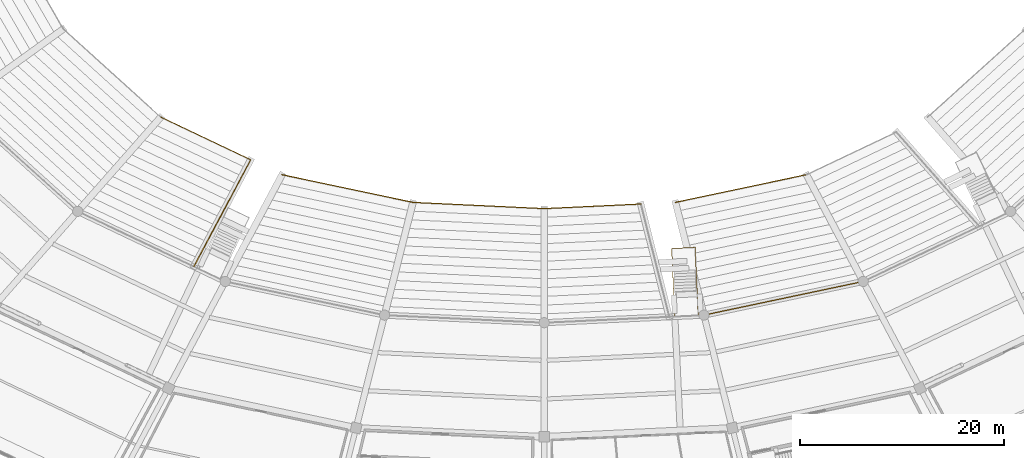
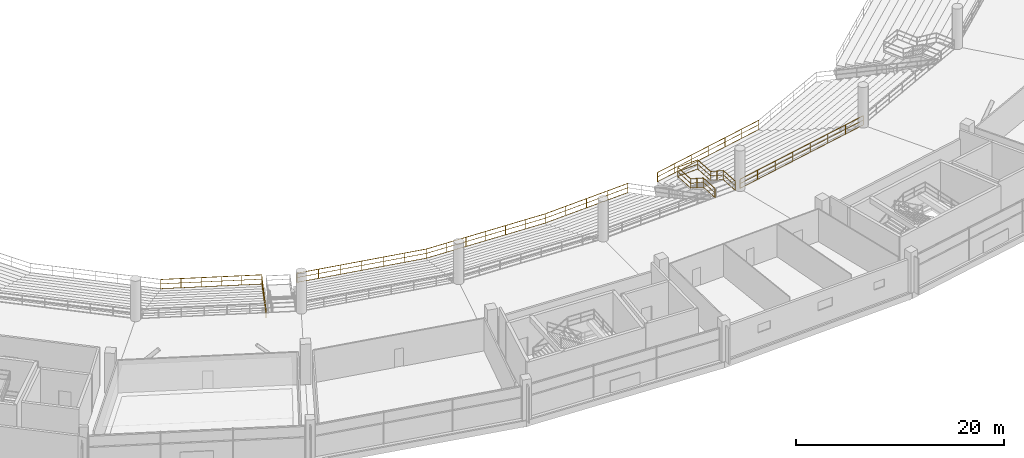
# One storey, part 145 of 156: 8 railings.
"""IFC4 building model written with IfcOpenShell, lengths in metres."""

from ifc_helpers import new_model, si_unit, direction, frame, origin, origin_2d, place, context, subcontext, project, spatial, rectangle, extrude, material, type_object, element, save


model = new_model("IFC4")

# Units and contexts
model_context = context("Model", 3, precision=1e-05, world=origin(), true_north=direction((0.0, 1.0)))
body_context = subcontext(model_context, "Body", "Model", "MODEL_VIEW")
ifc_project = project(units=[si_unit("LENGTHUNIT", "METRE"), si_unit("AREAUNIT", "SQUARE_METRE"), si_unit("VOLUMEUNIT", "CUBIC_METRE"), si_unit("PLANEANGLEUNIT", "RADIAN"), si_unit("MASSUNIT", "GRAM", prefix="KILO")], contexts=[model_context])

# Site, building, storey
site_placement = place(None, origin())
site = spatial("IfcSite", under=ifc_project, at=site_placement, CompositionType="ELEMENT")
building_placement = place(site_placement, origin())
building = spatial("IfcBuilding", under=site, at=building_placement, Name="Kazemori Nagisa Stadium", CompositionType="ELEMENT")
storey_placement = place(building_placement, frame((0.0, 0.0, 5.780029296875)))
storey = spatial("IfcBuildingStorey", under=building, at=storey_placement, Name="L01", CompositionType="ELEMENT", Elevation=5.780029296875)

# Railings
ifc_material_1 = material(Name="Laminated safety glass and stainless steel SUS304", Category="steel")
railing_type_1 = type_object("IfcRailingType", Name="Rail_BAL", PredefinedType="BALUSTRADE", material=ifc_material_1)
railing_1_placement = place(storey_placement, frame((138.64208984375, 39.959716796875, 0.0)))
element("IfcRailing", 1, at=railing_1_placement, inside=storey, type_object=railing_type_1, Name="Concourse bowl balustrade L01-B23", PredefinedType="BALUSTRADE", context=body_context, shape_type="SweptSolid", body=[
    extrude(rectangle(XDim=0.050048828125, YDim=0.050048828125, at=origin_2d()), frame((0.0, 0.0, 1.09521484375), z_axis=(0.978348272746, 0.206965352692, 0.0), x_axis=(-0.206965352692, 0.978348272746, 0.0)), (0.0, 0.0, 1.0), 15.950927734375),
    extrude(rectangle(XDim=0.03759765625, YDim=0.03759765625, at=origin_2d()), frame((0.0, 0.0, 0.58251953125), z_axis=(0.978348272746, 0.206965352692, 0.0), x_axis=(-0.206965352692, 0.978348272746, 0.0)), (0.0, 0.0, 1.0), 15.950927734375),
    extrude(rectangle(XDim=0.03759765625, YDim=0.03759765625, at=origin_2d()), frame((0.0, 0.0, 0.02490234375), z_axis=(0.978348272746, 0.206965352692, 0.0), x_axis=(-0.206965352692, 0.978348272746, 0.0)), (0.0, 0.0, 1.0), 15.950927734375),
    extrude(rectangle(XDim=0.044921875, YDim=0.044921875, at=origin_2d()), origin(), (0.0, 0.0, 1.0), 1.070068359375),
    extrude(rectangle(XDim=0.044921875, YDim=0.044921875, at=origin_2d()), frame((2.229248046875, 0.4716796875, 0.0)), (0.0, 0.0, 1.0), 1.070068359375),
    extrude(rectangle(XDim=0.044921875, YDim=0.044921875, at=origin_2d()), frame((4.458740234375, 0.943115234375, 0.0)), (0.0, 0.0, 1.0), 1.070068359375),
    extrude(rectangle(XDim=0.044921875, YDim=0.044921875, at=origin_2d()), frame((6.68798828125, 1.414794921875, 0.0)), (0.0, 0.0, 1.0), 1.070068359375),
    extrude(rectangle(XDim=0.044921875, YDim=0.044921875, at=origin_2d()), frame((8.91748046875, 1.886474609375, 0.0)), (0.0, 0.0, 1.0), 1.070068359375),
    extrude(rectangle(XDim=0.044921875, YDim=0.044921875, at=origin_2d()), frame((11.146728515625, 2.358154296875, 0.0)), (0.0, 0.0, 1.0), 1.070068359375),
    extrude(rectangle(XDim=0.044921875, YDim=0.044921875, at=origin_2d()), frame((13.376220703125, 2.82958984375, 0.0)), (0.0, 0.0, 1.0), 1.070068359375),
    extrude(rectangle(XDim=0.044921875, YDim=0.044921875, at=origin_2d()), frame((15.60546875, 3.30126953125, 0.0)), (0.0, 0.0, 1.0), 1.070068359375),
])
ifc_material_2 = material(Name="Galvanised powder-coated steel", Category="steel")
railing_type_2 = type_object("IfcRailingType", Name="Rail_GUARD", PredefinedType="GUARDRAIL", material=ifc_material_2)
railing_2_placement = place(storey_placement, frame((138.0927734375, 39.93359375, 0.0)))
element("IfcRailing", 2, at=railing_2_placement, inside=storey, type_object=railing_type_2, Name="Vomitory stair guard VL09", PredefinedType="GUARDRAIL", context=body_context, shape_type="SweptSolid", body=[
    extrude(rectangle(XDim=0.050048828125, YDim=0.050048828125, at=origin_2d()), frame((0.0, 0.0, 1.09521484375), z_axis=(-0.047200591825, 0.998885430934, 0.0), x_axis=(-0.998885430934, -0.047200591825, 0.0)), (0.0, 0.0, 1.0), 2.10009765625),
    extrude(rectangle(XDim=0.03759765625, YDim=0.03759765625, at=origin_2d()), frame((0.0, 0.0, 0.58251953125), z_axis=(-0.047200591825, 0.998885430934, 0.0), x_axis=(-0.998885430934, -0.047200591825, 0.0)), (0.0, 0.0, 1.0), 2.10009765625),
    extrude(rectangle(XDim=0.03759765625, YDim=0.03759765625, at=origin_2d()), frame((0.0, 0.0, 0.02490234375), z_axis=(-0.047200591825, 0.998885430934, 0.0), x_axis=(-0.998885430934, -0.047200591825, 0.0)), (0.0, 0.0, 1.0), 2.10009765625),
    extrude(rectangle(XDim=0.050048828125, YDim=0.050048828125, at=origin_2d()), frame((-0.09912109375, 2.09765625, 1.09521484375), z_axis=(-0.039755287865, 0.841349839275, -0.539026868569), x_axis=(-0.9988855, -0.047199130187, 0.0)), (0.0, 0.0, 1.0), 2.67138671875),
    extrude(rectangle(XDim=0.03759765625, YDim=0.03759765625, at=origin_2d()), frame((-0.09912109375, 2.09765625, 0.58251953125), z_axis=(-0.039755287865, 0.841349839275, -0.539026868569), x_axis=(-0.9988855, -0.047199130187, 0.0)), (0.0, 0.0, 1.0), 2.67138671875),
    extrude(rectangle(XDim=0.03759765625, YDim=0.03759765625, at=origin_2d()), frame((-0.09912109375, 2.09765625, 0.02490234375), z_axis=(-0.039755287865, 0.841349839275, -0.539026868569), x_axis=(-0.9988855, -0.047199130187, 0.0)), (0.0, 0.0, 1.0), 2.67138671875),
    extrude(rectangle(XDim=0.050048828125, YDim=0.050048828125, at=origin_2d()), frame((-0.205322265625, 4.34521484375, -0.3447265625), z_axis=(-0.04725015869, 0.998883087505, 0.0), x_axis=(-0.998883087505, -0.04725015869, 0.0)), (0.0, 0.0, 1.0), 2.320068359375),
    extrude(rectangle(XDim=0.03759765625, YDim=0.03759765625, at=origin_2d()), frame((-0.205322265625, 4.34521484375, -0.857421875), z_axis=(-0.04725015869, 0.998883087505, 0.0), x_axis=(-0.998883087505, -0.04725015869, 0.0)), (0.0, 0.0, 1.0), 2.320068359375),
    extrude(rectangle(XDim=0.03759765625, YDim=0.03759765625, at=origin_2d()), frame((-0.205322265625, 4.34521484375, -1.4150390625), z_axis=(-0.04725015869, 0.998883087505, 0.0), x_axis=(-0.998883087505, -0.04725015869, 0.0)), (0.0, 0.0, 1.0), 2.320068359375),
    extrude(rectangle(XDim=0.050048828125, YDim=0.050048828125, at=origin_2d()), frame((-0.31494140625, 6.66259765625, -0.3447265625), z_axis=(-0.998883694415, -0.047237326675, 0.0), x_axis=(0.047237326675, -0.998883694415, 0.0)), (0.0, 0.0, 1.0), 2.300048828125),
    extrude(rectangle(XDim=0.03759765625, YDim=0.03759765625, at=origin_2d()), frame((-0.31494140625, 6.66259765625, -0.857421875), z_axis=(-0.998883694415, -0.047237326675, 0.0), x_axis=(0.047237326675, -0.998883694415, 0.0)), (0.0, 0.0, 1.0), 2.300048828125),
    extrude(rectangle(XDim=0.03759765625, YDim=0.03759765625, at=origin_2d()), frame((-0.31494140625, 6.66259765625, -1.4150390625), z_axis=(-0.998883694415, -0.047237326675, 0.0), x_axis=(0.047237326675, -0.998883694415, 0.0)), (0.0, 0.0, 1.0), 2.300048828125),
    extrude(rectangle(XDim=0.050048828125, YDim=0.050048828125, at=origin_2d()), frame((-2.6123046875, 6.553955078125, -0.3447265625), z_axis=(0.047145158645, -0.99888804879, 0.0), x_axis=(0.99888804879, 0.047145158645, 0.0)), (0.0, 0.0, 1.0), 2.320068359375),
    extrude(rectangle(XDim=0.03759765625, YDim=0.03759765625, at=origin_2d()), frame((-2.6123046875, 6.553955078125, -0.857421875), z_axis=(0.047145158645, -0.99888804879, 0.0), x_axis=(0.99888804879, 0.047145158645, 0.0)), (0.0, 0.0, 1.0), 2.320068359375),
    extrude(rectangle(XDim=0.03759765625, YDim=0.03759765625, at=origin_2d()), frame((-2.6123046875, 6.553955078125, -1.4150390625), z_axis=(0.047145158645, -0.99888804879, 0.0), x_axis=(0.99888804879, 0.047145158645, 0.0)), (0.0, 0.0, 1.0), 2.320068359375),
    extrude(rectangle(XDim=0.050048828125, YDim=0.050048828125, at=origin_2d()), frame((-2.5029296875, 4.236572265625, -0.3447265625), z_axis=(0.039846534391, -0.841346778907, 0.539024907885), x_axis=(0.998880378584, 0.047307391382, 0.0)), (0.0, 0.0, 1.0), 2.67138671875),
    extrude(rectangle(XDim=0.03759765625, YDim=0.03759765625, at=origin_2d()), frame((-2.5029296875, 4.236572265625, -0.857421875), z_axis=(0.039846534391, -0.841346778907, 0.539024907885), x_axis=(0.998880378584, 0.047307391382, 0.0)), (0.0, 0.0, 1.0), 2.67138671875),
    extrude(rectangle(XDim=0.03759765625, YDim=0.03759765625, at=origin_2d()), frame((-2.5029296875, 4.236572265625, -1.4150390625), z_axis=(0.039846534391, -0.841346778907, 0.539024907885), x_axis=(0.998880378584, 0.047307391382, 0.0)), (0.0, 0.0, 1.0), 2.67138671875),
    extrude(rectangle(XDim=0.050048828125, YDim=0.050048828125, at=origin_2d()), frame((-2.396484375, 1.989013671875, 1.09521484375), z_axis=(0.047200591825, -0.998885430934, 0.0), x_axis=(0.998885430934, 0.047200591825, 0.0)), (0.0, 0.0, 1.0), 2.10009765625),
    extrude(rectangle(XDim=0.03759765625, YDim=0.03759765625, at=origin_2d()), frame((-2.396484375, 1.989013671875, 0.58251953125), z_axis=(0.047200591825, -0.998885430934, 0.0), x_axis=(0.998885430934, 0.047200591825, 0.0)), (0.0, 0.0, 1.0), 2.10009765625),
    extrude(rectangle(XDim=0.03759765625, YDim=0.03759765625, at=origin_2d()), frame((-2.396484375, 1.989013671875, 0.02490234375), z_axis=(0.047200591825, -0.998885430934, 0.0), x_axis=(0.998885430934, 0.047200591825, 0.0)), (0.0, 0.0, 1.0), 2.10009765625),
    extrude(rectangle(XDim=0.044921875, YDim=0.044921875, at=origin_2d()), origin(), (0.0, 0.0, 1.0), 1.070068359375),
    extrude(rectangle(XDim=0.044921875, YDim=0.044921875, at=origin_2d()), frame((-0.09912109375, 2.09765625, 0.0)), (0.0, 0.0, 1.0), 1.070068359375),
    extrude(rectangle(XDim=0.044921875, YDim=0.044921875, at=origin_2d()), frame((-0.15234375, 3.221435546875, -0.719970703125)), (0.0, 0.0, 1.0), 1.070068359375),
    extrude(rectangle(XDim=0.044921875, YDim=0.044921875, at=origin_2d()), frame((-0.205322265625, 4.34521484375, -1.43994140625)), (0.0, 0.0, 1.0), 1.070068359375),
    extrude(rectangle(XDim=0.044921875, YDim=0.044921875, at=origin_2d()), frame((-0.31494140625, 6.66259765625, -1.43994140625)), (0.0, 0.0, 1.0), 1.070068359375),
    extrude(rectangle(XDim=0.044921875, YDim=0.044921875, at=origin_2d()), frame((-2.6123046875, 6.553955078125, -1.43994140625)), (0.0, 0.0, 1.0), 1.070068359375),
    extrude(rectangle(XDim=0.044921875, YDim=0.044921875, at=origin_2d()), frame((-2.5029296875, 4.236572265625, -1.43994140625)), (0.0, 0.0, 1.0), 1.070068359375),
    extrude(rectangle(XDim=0.044921875, YDim=0.044921875, at=origin_2d()), frame((-2.44970703125, 3.11279296875, -0.719970703125)), (0.0, 0.0, 1.0), 1.070068359375),
    extrude(rectangle(XDim=0.044921875, YDim=0.044921875, at=origin_2d()), frame((-2.396484375, 1.989013671875, 0.0)), (0.0, 0.0, 1.0), 1.070068359375),
    extrude(rectangle(XDim=0.044921875, YDim=0.044921875, at=origin_2d()), frame((-2.29736328125, -0.108642578125, 0.0)), (0.0, 0.0, 1.0), 1.070068359375),
])
railing_3_placement = place(storey_placement, frame((85.441162109375, 59.364501953125, -4.919921875)))
element("IfcRailing", 3, at=railing_3_placement, inside=storey, type_object=railing_type_2, Name="Lower tier pitch-side crowd barrier B19", PredefinedType="GUARDRAIL", context=body_context, shape_type="SweptSolid", body=[
    extrude(rectangle(XDim=0.050048828125, YDim=0.050048828125, at=origin_2d()), frame((0.0, 0.0, 1.09521484375), z_axis=(0.903222659016, -0.429172259401, 0.0), x_axis=(0.429172259401, 0.903222659016, 0.0)), (0.0, 0.0, 1.0), 9.74853515625),
    extrude(rectangle(XDim=0.03759765625, YDim=0.03759765625, at=origin_2d()), frame((0.0, 0.0, 0.58251953125), z_axis=(0.903222659016, -0.429172259401, 0.0), x_axis=(0.429172259401, 0.903222659016, 0.0)), (0.0, 0.0, 1.0), 9.74853515625),
    extrude(rectangle(XDim=0.03759765625, YDim=0.03759765625, at=origin_2d()), frame((0.0, 0.0, 0.02490234375), z_axis=(0.903222659016, -0.429172259401, 0.0), x_axis=(0.429172259401, 0.903222659016, 0.0)), (0.0, 0.0, 1.0), 9.74853515625),
    extrude(rectangle(XDim=0.044921875, YDim=0.044921875, at=origin_2d()), origin(), (0.0, 0.0, 1.0), 1.070068359375),
    extrude(rectangle(XDim=0.044921875, YDim=0.044921875, at=origin_2d()), frame((1.760986328125, -0.836669921875, 0.0)), (0.0, 0.0, 1.0), 1.070068359375),
    extrude(rectangle(XDim=0.044921875, YDim=0.044921875, at=origin_2d()), frame((3.52197265625, -1.673583984375, 0.0)), (0.0, 0.0, 1.0), 1.070068359375),
    extrude(rectangle(XDim=0.044921875, YDim=0.044921875, at=origin_2d()), frame((5.283203125, -2.51025390625, 0.0)), (0.0, 0.0, 1.0), 1.070068359375),
    extrude(rectangle(XDim=0.044921875, YDim=0.044921875, at=origin_2d()), frame((7.044189453125, -3.34716796875, 0.0)), (0.0, 0.0, 1.0), 1.070068359375),
    extrude(rectangle(XDim=0.044921875, YDim=0.044921875, at=origin_2d()), frame((8.80517578125, -4.183837890625, 0.0)), (0.0, 0.0, 1.0), 1.070068359375),
])
railing_4_placement = place(storey_placement, frame((94.246337890625, 55.1806640625, -4.919921875)))
element("IfcRailing", 4, at=railing_4_placement, inside=storey, type_object=railing_type_2, Name="Lower tier vomitory aisle guard B19", PredefinedType="GUARDRAIL", context=body_context, shape_type="SweptSolid", body=[
    extrude(rectangle(XDim=0.050048828125, YDim=0.050048828125, at=origin_2d()), frame((0.0, 0.0, 1.09521484375), z_axis=(-0.441242969297, -0.829443086144, 0.342532931108), x_axis=(0.882850394325, -0.469654321007, 0.0)), (0.0, 0.0, 1.0), 12.611328125),
    extrude(rectangle(XDim=0.03759765625, YDim=0.03759765625, at=origin_2d()), frame((0.0, 0.0, 0.58251953125), z_axis=(-0.441242969297, -0.829443086144, 0.342532931108), x_axis=(0.882850394325, -0.469654321007, 0.0)), (0.0, 0.0, 1.0), 12.611328125),
    extrude(rectangle(XDim=0.03759765625, YDim=0.03759765625, at=origin_2d()), frame((0.0, 0.0, 0.02490234375), z_axis=(-0.441242969297, -0.829443086144, 0.342532931108), x_axis=(0.882850394325, -0.469654321007, 0.0)), (0.0, 0.0, 1.0), 12.611328125),
    extrude(rectangle(XDim=0.044921875, YDim=0.044921875, at=origin_2d()), origin(), (0.0, 0.0, 1.0), 1.070068359375),
    extrude(rectangle(XDim=0.044921875, YDim=0.044921875, at=origin_2d()), frame((-0.927490234375, -1.743408203125, 0.719970703125)), (0.0, 0.0, 1.0), 1.070068359375),
    extrude(rectangle(XDim=0.044921875, YDim=0.044921875, at=origin_2d()), frame((-1.85498046875, -3.48681640625, 1.43994140625)), (0.0, 0.0, 1.0), 1.070068359375),
    extrude(rectangle(XDim=0.044921875, YDim=0.044921875, at=origin_2d()), frame((-2.7822265625, -5.230224609375, 2.159912109375)), (0.0, 0.0, 1.0), 1.070068359375),
    extrude(rectangle(XDim=0.044921875, YDim=0.044921875, at=origin_2d()), frame((-3.709716796875, -6.9736328125, 2.8798828125)), (0.0, 0.0, 1.0), 1.070068359375),
    extrude(rectangle(XDim=0.044921875, YDim=0.044921875, at=origin_2d()), frame((-4.63720703125, -8.717041015625, 3.599853515625)), (0.0, 0.0, 1.0), 1.070068359375),
    extrude(rectangle(XDim=0.044921875, YDim=0.044921875, at=origin_2d()), frame((-5.564697265625, -10.46044921875, 4.31982421875)), (0.0, 0.0, 1.0), 1.070068359375),
])
railing_5_placement = place(storey_placement, frame((97.317138671875, 53.721435546875, -4.919921875)))
element("IfcRailing", 5, at=railing_5_placement, inside=storey, type_object=railing_type_2, Name="Lower tier pitch-side crowd barrier B20", PredefinedType="GUARDRAIL", context=body_context, shape_type="SweptSolid", body=[
    extrude(rectangle(XDim=0.050048828125, YDim=0.050048828125, at=origin_2d()), frame((0.0, 0.0, 1.09521484375), z_axis=(0.978343611705, -0.206987384729, 0.0), x_axis=(0.206987384729, 0.978343611705, 0.0)), (0.0, 0.0, 1.0), 13.110107421875),
    extrude(rectangle(XDim=0.03759765625, YDim=0.03759765625, at=origin_2d()), frame((0.0, 0.0, 0.58251953125), z_axis=(0.978343611705, -0.206987384729, 0.0), x_axis=(0.206987384729, 0.978343611705, 0.0)), (0.0, 0.0, 1.0), 13.110107421875),
    extrude(rectangle(XDim=0.03759765625, YDim=0.03759765625, at=origin_2d()), frame((0.0, 0.0, 0.02490234375), z_axis=(0.978343611705, -0.206987384729, 0.0), x_axis=(0.206987384729, 0.978343611705, 0.0)), (0.0, 0.0, 1.0), 13.110107421875),
    extrude(rectangle(XDim=0.044921875, YDim=0.044921875, at=origin_2d()), origin(), (0.0, 0.0, 1.0), 1.070068359375),
    extrude(rectangle(XDim=0.044921875, YDim=0.044921875, at=origin_2d()), frame((2.1376953125, -0.4521484375, 0.0)), (0.0, 0.0, 1.0), 1.070068359375),
    extrude(rectangle(XDim=0.044921875, YDim=0.044921875, at=origin_2d()), frame((4.275390625, -0.904541015625, 0.0)), (0.0, 0.0, 1.0), 1.070068359375),
    extrude(rectangle(XDim=0.044921875, YDim=0.044921875, at=origin_2d()), frame((6.4130859375, -1.35693359375, 0.0)), (0.0, 0.0, 1.0), 1.070068359375),
    extrude(rectangle(XDim=0.044921875, YDim=0.044921875, at=origin_2d()), frame((8.55078125, -1.80908203125, 0.0)), (0.0, 0.0, 1.0), 1.070068359375),
    extrude(rectangle(XDim=0.044921875, YDim=0.044921875, at=origin_2d()), frame((10.6884765625, -2.26123046875, 0.0)), (0.0, 0.0, 1.0), 1.070068359375),
    extrude(rectangle(XDim=0.044921875, YDim=0.044921875, at=origin_2d()), frame((12.826171875, -2.713623046875, 0.0)), (0.0, 0.0, 1.0), 1.070068359375),
])
railing_6_placement = place(storey_placement, frame((110.143310546875, 51.0078125, -4.919921875)))
element("IfcRailing", 6, at=railing_6_placement, inside=storey, type_object=railing_type_2, Name="Lower tier pitch-side crowd barrier B21", PredefinedType="GUARDRAIL", context=body_context, shape_type="SweptSolid", body=[
    extrude(rectangle(XDim=0.050048828125, YDim=0.050048828125, at=origin_2d()), frame((0.0, 0.0, 1.09521484375), z_axis=(0.998884003033, -0.047230800166, 0.0), x_axis=(0.047230800166, 0.998884003033, 0.0)), (0.0, 0.0, 1.0), 12.87109375),
    extrude(rectangle(XDim=0.03759765625, YDim=0.03759765625, at=origin_2d()), frame((0.0, 0.0, 0.58251953125), z_axis=(0.998884003033, -0.047230800166, 0.0), x_axis=(0.047230800166, 0.998884003033, 0.0)), (0.0, 0.0, 1.0), 12.87109375),
    extrude(rectangle(XDim=0.03759765625, YDim=0.03759765625, at=origin_2d()), frame((0.0, 0.0, 0.02490234375), z_axis=(0.998884003033, -0.047230800166, 0.0), x_axis=(0.047230800166, 0.998884003033, 0.0)), (0.0, 0.0, 1.0), 12.87109375),
    extrude(rectangle(XDim=0.044921875, YDim=0.044921875, at=origin_2d()), origin(), (0.0, 0.0, 1.0), 1.070068359375),
    extrude(rectangle(XDim=0.044921875, YDim=0.044921875, at=origin_2d()), frame((2.142822265625, -0.101318359375, 0.0)), (0.0, 0.0, 1.0), 1.070068359375),
    extrude(rectangle(XDim=0.044921875, YDim=0.044921875, at=origin_2d()), frame((4.28564453125, -0.20263671875, 0.0)), (0.0, 0.0, 1.0), 1.070068359375),
    extrude(rectangle(XDim=0.044921875, YDim=0.044921875, at=origin_2d()), frame((6.42822265625, -0.303955078125, 0.0)), (0.0, 0.0, 1.0), 1.070068359375),
    extrude(rectangle(XDim=0.044921875, YDim=0.044921875, at=origin_2d()), frame((8.571044921875, -0.4052734375, 0.0)), (0.0, 0.0, 1.0), 1.070068359375),
    extrude(rectangle(XDim=0.044921875, YDim=0.044921875, at=origin_2d()), frame((10.7138671875, -0.506591796875, 0.0)), (0.0, 0.0, 1.0), 1.070068359375),
    extrude(rectangle(XDim=0.044921875, YDim=0.044921875, at=origin_2d()), frame((12.856689453125, -0.60791015625, 0.0)), (0.0, 0.0, 1.0), 1.070068359375),
])
railing_7_placement = place(storey_placement, frame((123.0, 50.39990234375, -4.919921875)))
element("IfcRailing", 7, at=railing_7_placement, inside=storey, type_object=railing_type_2, Name="Lower tier pitch-side crowd barrier B22", PredefinedType="GUARDRAIL", context=body_context, shape_type="SweptSolid", body=[
    extrude(rectangle(XDim=0.050048828125, YDim=0.050048828125, at=origin_2d()), frame((0.0, 0.0, 1.09521484375), z_axis=(0.998883076482, 0.047250391721, 0.0), x_axis=(-0.047250391721, 0.998883076482, 0.0)), (0.0, 0.0, 1.0), 9.470947265625),
    extrude(rectangle(XDim=0.03759765625, YDim=0.03759765625, at=origin_2d()), frame((0.0, 0.0, 0.58251953125), z_axis=(0.998883076482, 0.047250391721, 0.0), x_axis=(-0.047250391721, 0.998883076482, 0.0)), (0.0, 0.0, 1.0), 9.470947265625),
    extrude(rectangle(XDim=0.03759765625, YDim=0.03759765625, at=origin_2d()), frame((0.0, 0.0, 0.02490234375), z_axis=(0.998883076482, 0.047250391721, 0.0), x_axis=(-0.047250391721, 0.998883076482, 0.0)), (0.0, 0.0, 1.0), 9.470947265625),
    extrude(rectangle(XDim=0.044921875, YDim=0.044921875, at=origin_2d()), origin(), (0.0, 0.0, 1.0), 1.070068359375),
    extrude(rectangle(XDim=0.044921875, YDim=0.044921875, at=origin_2d()), frame((2.365234375, 0.11181640625, 0.0)), (0.0, 0.0, 1.0), 1.070068359375),
    extrude(rectangle(XDim=0.044921875, YDim=0.044921875, at=origin_2d()), frame((4.730224609375, 0.2236328125, 0.0)), (0.0, 0.0, 1.0), 1.070068359375),
    extrude(rectangle(XDim=0.044921875, YDim=0.044921875, at=origin_2d()), frame((7.09521484375, 0.335693359375, 0.0)), (0.0, 0.0, 1.0), 1.070068359375),
    extrude(rectangle(XDim=0.044921875, YDim=0.044921875, at=origin_2d()), frame((9.46044921875, 0.447509765625, 0.0)), (0.0, 0.0, 1.0), 1.070068359375),
])
railing_8_placement = place(storey_placement, frame((135.856689453125, 51.0078125, -4.919921875)))
element("IfcRailing", 8, at=railing_8_placement, inside=storey, type_object=railing_type_2, Name="Lower tier pitch-side crowd barrier B23", PredefinedType="GUARDRAIL", context=body_context, shape_type="SweptSolid", body=[
    extrude(rectangle(XDim=0.050048828125, YDim=0.050048828125, at=origin_2d()), frame((0.0, 0.0, 1.09521484375), z_axis=(0.978343611705, 0.206987384729, 0.0), x_axis=(-0.206987384729, 0.978343611705, 0.0)), (0.0, 0.0, 1.0), 13.110107421875),
    extrude(rectangle(XDim=0.03759765625, YDim=0.03759765625, at=origin_2d()), frame((0.0, 0.0, 0.58251953125), z_axis=(0.978343611705, 0.206987384729, 0.0), x_axis=(-0.206987384729, 0.978343611705, 0.0)), (0.0, 0.0, 1.0), 13.110107421875),
    extrude(rectangle(XDim=0.03759765625, YDim=0.03759765625, at=origin_2d()), frame((0.0, 0.0, 0.02490234375), z_axis=(0.978343611705, 0.206987384729, 0.0), x_axis=(-0.206987384729, 0.978343611705, 0.0)), (0.0, 0.0, 1.0), 13.110107421875),
    extrude(rectangle(XDim=0.044921875, YDim=0.044921875, at=origin_2d()), origin(), (0.0, 0.0, 1.0), 1.070068359375),
    extrude(rectangle(XDim=0.044921875, YDim=0.044921875, at=origin_2d()), frame((2.1376953125, 0.4521484375, 0.0)), (0.0, 0.0, 1.0), 1.070068359375),
    extrude(rectangle(XDim=0.044921875, YDim=0.044921875, at=origin_2d()), frame((4.275390625, 0.904541015625, 0.0)), (0.0, 0.0, 1.0), 1.070068359375),
    extrude(rectangle(XDim=0.044921875, YDim=0.044921875, at=origin_2d()), frame((6.4130859375, 1.35693359375, 0.0)), (0.0, 0.0, 1.0), 1.070068359375),
    extrude(rectangle(XDim=0.044921875, YDim=0.044921875, at=origin_2d()), frame((8.55078125, 1.80908203125, 0.0)), (0.0, 0.0, 1.0), 1.070068359375),
    extrude(rectangle(XDim=0.044921875, YDim=0.044921875, at=origin_2d()), frame((10.6884765625, 2.26123046875, 0.0)), (0.0, 0.0, 1.0), 1.070068359375),
    extrude(rectangle(XDim=0.044921875, YDim=0.044921875, at=origin_2d()), frame((12.826171875, 2.713623046875, 0.0)), (0.0, 0.0, 1.0), 1.070068359375),
])

save(model, "model.ifc")
